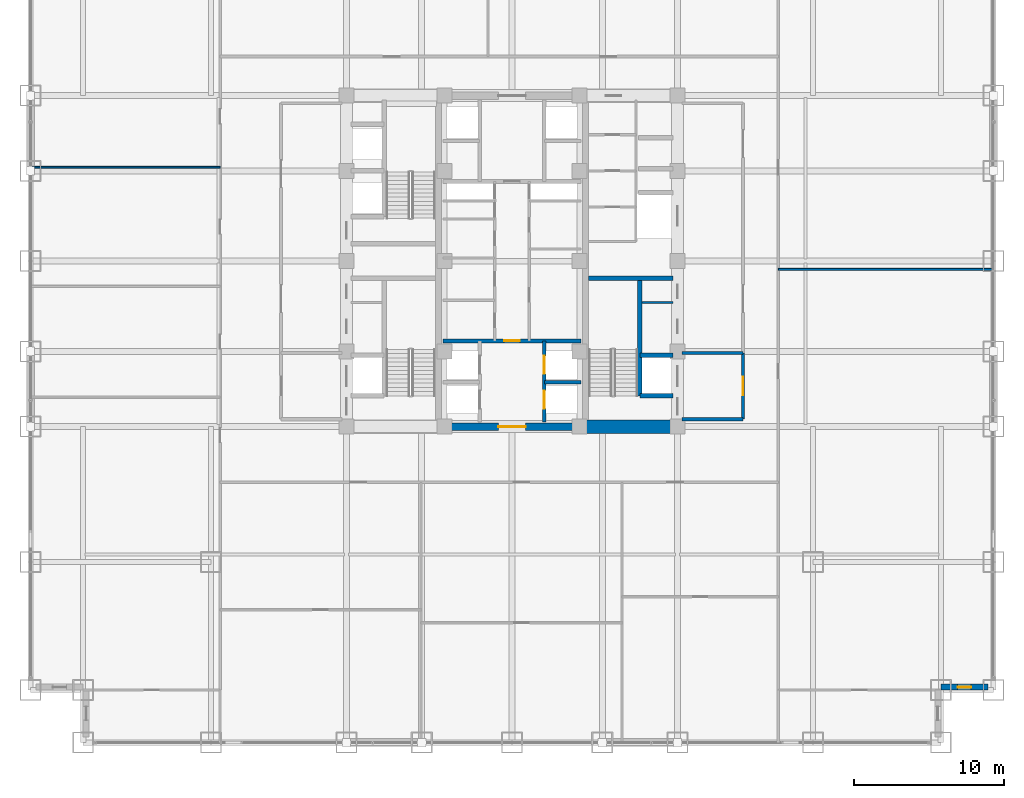
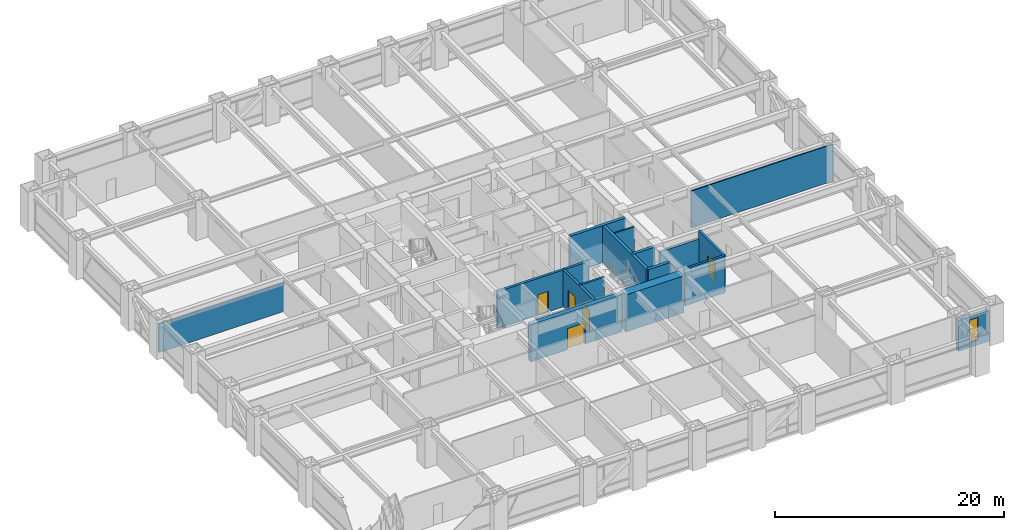
# One storey, part 24 of 28: 16 walls, 5 doors, 1 window, 6 openings.
"""IFC4 building model written with IfcOpenShell, lengths in metres."""

from ifc_helpers import new_model, si_unit, direction, frame, frame_2d, origin, place, context, subcontext, project, spatial, rectangle, extrude, source, transform, mapped, material, layer, layer_set, type_object, element, fill, save


model = new_model("IFC4")

# Units and contexts
model_context = context("Model", 3, precision=1e-05, world=origin(), true_north=direction((0.0, 1.0)))
body_context = subcontext(model_context, "Body", "Model", "MODEL_VIEW")
ifc_project = project(units=[si_unit("LENGTHUNIT", "METRE"), si_unit("AREAUNIT", "SQUARE_METRE"), si_unit("VOLUMEUNIT", "CUBIC_METRE"), si_unit("PLANEANGLEUNIT", "RADIAN"), si_unit("MASSUNIT", "GRAM", prefix="KILO")], contexts=[model_context])

# Site, building, storey
site_placement = place(None, origin())
site = spatial("IfcSite", under=ifc_project, at=site_placement, CompositionType="ELEMENT")
building_placement = place(site_placement, origin())
building = spatial("IfcBuilding", under=site, at=building_placement, Name="Khorayat Bourse Tower", CompositionType="ELEMENT")
storey_placement = place(building_placement, frame((0.0, 0.0, 57.800048828125)))
storey = spatial("IfcBuildingStorey", under=building, at=storey_placement, Name="L12", CompositionType="ELEMENT", Elevation=57.800048828125)

# Walls
ifc_material_1 = material(Name="Concrete C72/90", Category="concrete")
ifc_layer_1 = layer(ifc_material_1, 0.89990234375)
ifc_layer_set_1 = layer_set([ifc_layer_1], Name="Concrete C72/90")
wall_type_1 = type_object("IfcWallType", Name="WAL-CORE-900", PredefinedType="SHEAR", material=ifc_layer_set_1)
shared_shape_1 = source(origin(), body_context, "Body", "SweptSolid", [
    extrude(rectangle(XDim=5.849853515625, YDim=0.89990234375, at=frame_2d((2.9248046875, 0.0))), origin(), (0.0, 0.0, 1.0), 3.93994140625),
])
wall_1_placement = place(storey_placement, frame((4.85009765625, -11.0, 0.0), z_axis=(0.0, 0.0, 1.0), x_axis=(1.0, 0.0, 0.0)))
element("IfcWall", 1, at=wall_1_placement, inside=storey, type_object=wall_type_1, Name="L12 Core Shear Wall PIER-ES", PredefinedType="SHEAR", context=body_context, shape_type="MappedRepresentation", body=[
    mapped(shared_shape_1, transform((0.0, 0.0, 0.0), scale=1.0)),
])
ifc_material_2 = material(Name="Concrete C50/60", Category="concrete")
ifc_layer_2 = layer(ifc_material_2, 0.300048828125)
ifc_layer_set_2 = layer_set([ifc_layer_2], Name="Concrete C50/60")
wall_type_2 = type_object("IfcWallType", Name="WAL-SHAFT-300", PredefinedType="SHEAR", material=ifc_layer_set_2)
shared_shape_2 = source(origin(), body_context, "Body", "SweptSolid", [
    extrude(rectangle(XDim=5.599853515625, YDim=0.300048828125, at=frame_2d((2.7998046875, 0.0))), origin(), (0.0, 0.0, 1.0), 3.93994140625),
])
wall_2_placement = place(storey_placement, frame((5.10009765625, -1.14990234375, 0.0), z_axis=(0.0, 0.0, 1.0), x_axis=(1.0, 0.0, 0.0)))
element("IfcWall", 2, at=wall_2_placement, inside=storey, type_object=wall_type_2, Name="L12 Core Shear Wall ST3-DIV", PredefinedType="SHEAR", context=body_context, shape_type="MappedRepresentation", body=[
    mapped(shared_shape_2, transform((0.0, 0.0, 0.0), scale=1.0)),
])

# Wall, opening, door
ifc_material_3 = material(Name="Concrete C52/65", Category="concrete")
ifc_layer_3 = layer(ifc_material_3, 0.5)
ifc_layer_set_3 = layer_set([ifc_layer_3], Name="Concrete C52/65")
wall_type_3 = type_object("IfcWallType", Name="WAL-CORE-500", PredefinedType="SHEAR", material=ifc_layer_set_3)
shared_shape_3 = source(origin(), body_context, "Body", "SweptSolid", [
    extrude(rectangle(XDim=9.2001953125, YDim=0.5, at=frame_2d((4.60009765625, 0.0))), origin(), (0.0, 0.0, 1.0), 3.93994140625),
])
wall_3_placement = place(storey_placement, frame((-4.60009765625, -11.0, 0.0), z_axis=(0.0, 0.0, 1.0), x_axis=(1.0, 0.0, 0.0)))
wall_3 = element("IfcWall", 3, at=wall_3_placement, inside=storey, type_object=wall_type_3, Name="L12 Core Shear Wall CORE-S", PredefinedType="SHEAR", context=body_context, shape_type="MappedRepresentation", body=[
    mapped(shared_shape_3, transform((0.0, 0.0, 0.0), scale=1.0)),
])
shared_shape_4 = source(origin(), body_context, "Body", "SweptSolid", [
    extrude(rectangle(XDim=1.800048828125, YDim=2.25, at=frame_2d((0.89990234375, 1.125))), frame((0.0, 0.260009765625, 0.0), z_axis=(0.0, -1.0, 0.0), x_axis=(1.0, 0.0, 0.0)), (0.0, 0.0, 1.0), 0.52001953125),
])
opening_1_placement = place(wall_3_placement, frame((3.699951171875, 0.0, 0.0)))
opening_1 = element("IfcOpeningElement", 4, at=opening_1_placement, cuts=wall_3, Name="Opening DI-03", PredefinedType="OPENING", context=body_context, shape_type="MappedRepresentation", body=[
    mapped(shared_shape_4, transform((0.0, 0.0, 0.0), scale=1.0)),
])
ifc_material_4 = material(Name="Fire-rated hardwood vision-panel double leaf", Category="wood")
door_type_1 = type_object("IfcDoorType", Name="DR-INT-CORR-1800", OperationType="NOTDEFINED", PredefinedType="DOOR", material=ifc_material_4)
shared_shape_5 = source(origin(), body_context, "Body", "SweptSolid", [
    extrude(rectangle(XDim=1.800048828125, YDim=2.25, at=frame_2d((0.89990234375, 1.125))), frame((0.0, 0.02490234375, 0.0), z_axis=(0.0, -1.0, 0.0), x_axis=(1.0, 0.0, 0.0)), (0.0, 0.0, 1.0), 0.050048828125),
])
door_1_placement = place(opening_1_placement, origin())
door_1 = element("IfcDoor", 5, at=door_1_placement, inside=storey, type_object=door_type_1, Name="L12 Low-Rise Lift Lobby Door", OperationType="SINGLE_SWING_LEFT", OverallHeight=2.25, OverallWidth=1.800048828125, PredefinedType="DOOR", context=body_context, shape_type="MappedRepresentation", body=[
    mapped(shared_shape_5, transform((0.0, 0.0, 0.0), scale=1.0)),
])
fill(opening_1, door_1)

# Wall, opening, window
ifc_material_5 = material(Name="Precast concrete C45/55", Category="concrete")
ifc_layer_4 = layer(ifc_material_5, 0.3798828125)
ifc_layer_set_4 = layer_set([ifc_layer_4], Name="Precast concrete C45/55")
wall_type_4 = type_object("IfcWallType", Name="WAL-EXT-STONE-380", PredefinedType="STANDARD", material=ifc_layer_set_4)
shared_shape_6 = source(origin(), body_context, "Body", "SweptSolid", [
    extrude(rectangle(XDim=3.1201171875, YDim=0.3798828125, at=frame_2d((1.56005859375, 0.0))), origin(), (0.0, 0.0, 1.0), 3.244873046875),
])
wall_4_placement = place(storey_placement, frame((28.5, -28.31005859375, 0.0), z_axis=(0.0, 0.0, 1.0), x_axis=(1.0, 0.0, 0.0)))
wall_4 = element("IfcWall", 6, at=wall_4_placement, inside=storey, type_object=wall_type_4, Name="L12 Re-Entrant Notch Limestone Wall SE-H", PredefinedType="STANDARD", context=body_context, shape_type="MappedRepresentation", body=[
    mapped(shared_shape_6, transform((0.0, 0.0, 0.0), scale=1.0)),
])
shared_shape_7 = source(origin(), body_context, "Body", "SweptSolid", [
    extrude(rectangle(XDim=0.89990234375, YDim=2.39990234375, at=frame_2d((0.449951171875, 1.199951171875))), frame((0.0, 0.199951171875, 0.0), z_axis=(0.0, -1.0, 0.0), x_axis=(1.0, 0.0, 0.0)), (0.0, 0.0, 1.0), 0.39990234375),
])
opening_2_placement = place(wall_4_placement, frame((1.110107421875, 0.0, 0.5)))
opening_2 = element("IfcOpeningElement", 7, at=opening_2_placement, cuts=wall_4, Name="Opening WN-03", PredefinedType="OPENING", context=body_context, shape_type="MappedRepresentation", body=[
    mapped(shared_shape_7, transform((0.0, 0.0, 0.0), scale=1.0)),
])
ifc_material_6 = material(Name="Deep-reveal solar-control double glazing", Category="glass")
window_type = type_object("IfcWindowType", Name="WIN-SLOT-900x2400", PartitioningType="SINGLE_PANEL", PredefinedType="WINDOW", material=ifc_material_6)
shared_shape_8 = source(origin(), body_context, "Body", "SweptSolid", [
    extrude(rectangle(XDim=0.89990234375, YDim=2.39990234375, at=frame_2d((0.449951171875, 1.199951171875))), frame((0.0, 0.030029296875, 0.0), z_axis=(0.0, -1.0, 0.0), x_axis=(1.0, 0.0, 0.0)), (0.0, 0.0, 1.0), 0.06005859375),
])
window_placement = place(opening_2_placement, origin())
window = element("IfcWindow", 8, at=window_placement, inside=storey, type_object=window_type, Name="L12 Facade Window 1", OverallHeight=2.39990234375, OverallWidth=0.89990234375, PartitioningType="SINGLE_PANEL", PredefinedType="WINDOW", context=body_context, shape_type="MappedRepresentation", body=[
    mapped(shared_shape_8, transform((0.0, 0.0, 0.0), scale=1.0)),
])
fill(opening_2, window)

# Walls
shared_shape_9 = source(origin(), body_context, "Body", "SweptSolid", [
    extrude(rectangle(XDim=7.800048828125, YDim=0.300048828125, at=frame_2d((3.89990234375, 0.0))), origin(), (0.0, 0.0, 1.0), 3.93994140625),
])
wall_5_placement = place(storey_placement, frame((8.5, -8.949951171875, 0.0), z_axis=(0.0, 0.0, 1.0), x_axis=(0.0, 1.0, 0.0)))
element("IfcWall", 9, at=wall_5_placement, inside=storey, type_object=wall_type_2, Name="L12 Partition WAL-L12-EPIER-SP", PredefinedType="SHEAR", context=body_context, shape_type="MappedRepresentation", body=[
    mapped(shared_shape_9, transform((0.0, 0.0, 0.0), scale=1.0)),
])
shared_shape_10 = source(origin(), body_context, "Body", "SweptSolid", [
    extrude(rectangle(XDim=2.199951171875, YDim=0.300048828125, at=frame_2d((1.10009765625, 0.0))), origin(), (0.0, 0.0, 1.0), 3.93994140625),
])
for number, where, z_axis, x_axis, name in (
    (10, (8.5, -8.949951171875, 0.0), (0.0, 0.0, 1.0), (1.0, 0.0, 0.0), "L12 Partition WAL-L12-EPIER-FF2S"),
    (11, (8.5, -6.25, 0.0), (0.0, 0.0, 1.0), (1.0, 0.0, 0.0), "L12 Partition WAL-L12-EPIER-FF2N"),
):
    element("IfcWall", number, at=place(storey_placement, frame(where, z_axis=z_axis, x_axis=x_axis)), inside=storey, type_object=wall_type_2, Name=name, PredefinedType="SHEAR", context=body_context, shape_type="MappedRepresentation", body=[
        mapped(shared_shape_10, transform((0.0, 0.0, 0.0), scale=1.0)),
    ])
ifc_material_7 = material(Name="Gypsum plasterboard twin-frame partition")
ifc_layer_5 = layer(ifc_material_7, 0.14990234375)
ifc_layer_set_5 = layer_set([ifc_layer_5], Name="Gypsum plasterboard twin-frame partition")
wall_type_5 = type_object("IfcWallType", Name="WAL-PART-SUITE-150", PredefinedType="PARTITIONING", material=ifc_layer_set_5)
shared_shape_11 = source(origin(), body_context, "Body", "SweptSolid", [
    extrude(rectangle(XDim=2.050048828125, YDim=0.14990234375, at=frame_2d((1.02490234375, 0.0))), origin(), (0.0, 0.0, 1.0), 3.93994140625),
])
wall_6_placement = place(storey_placement, frame((8.64990234375, -2.75, 0.0), z_axis=(0.0, 0.0, 1.0), x_axis=(1.0, 0.0, 0.0)))
element("IfcWall", 12, at=wall_6_placement, inside=storey, type_object=wall_type_5, Name="L12 Partition WAL-L12-ESRV-D1", PredefinedType="PARTITIONING", context=body_context, shape_type="MappedRepresentation", body=[
    mapped(shared_shape_11, transform((0.0, 0.0, 0.0), scale=1.0)),
])
ifc_material_8 = material(Name="Aerated concrete blockwork", Category="masonry")
ifc_layer_6 = layer(ifc_material_8, 0.219970703125)
ifc_layer_set_6 = layer_set([ifc_layer_6], Name="Aerated concrete blockwork")
wall_type_6 = type_object("IfcWallType", Name="WAL-PART-FF-220", PredefinedType="PARTITIONING", material=ifc_layer_set_6)
shared_shape_12 = source(origin(), body_context, "Body", "SweptSolid", [
    extrude(rectangle(XDim=4.050048828125, YDim=0.219970703125, at=frame_2d((2.02490234375, 0.0))), origin(), (0.0, 0.0, 1.0), 3.93994140625),
])
wall_7_placement = place(storey_placement, frame((11.300048828125, -10.5, 0.0), z_axis=(0.0, 0.0, 1.0), x_axis=(1.0, 0.0, 0.0)))
element("IfcWall", 13, at=wall_7_placement, inside=storey, type_object=wall_type_6, Name="L12 Partition WAL-L12-FFLE-S", PredefinedType="PARTITIONING", context=body_context, shape_type="MappedRepresentation", body=[
    mapped(shared_shape_12, transform((0.0, 0.0, 0.0), scale=1.0)),
])
shared_shape_13 = source(origin(), body_context, "Body", "SweptSolid", [
    extrude(rectangle(XDim=4.050048828125, YDim=0.219970703125, at=frame_2d((2.02490234375, 0.0))), origin(), (0.0, 0.0, 1.0), 3.0849609375),
])
wall_8_placement = place(storey_placement, frame((11.300048828125, -6.10009765625, 0.0), z_axis=(0.0, 0.0, 1.0), x_axis=(1.0, 0.0, 0.0)))
element("IfcWall", 14, at=wall_8_placement, inside=storey, type_object=wall_type_6, Name="L12 Partition WAL-L12-FFLE-N", PredefinedType="PARTITIONING", context=body_context, shape_type="MappedRepresentation", body=[
    mapped(shared_shape_13, transform((0.0, 0.0, 0.0), scale=1.0)),
])

# Wall, opening, door
shared_shape_14 = source(origin(), body_context, "Body", "SweptSolid", [
    extrude(rectangle(XDim=4.39990234375, YDim=0.219970703125, at=frame_2d((2.199951171875, 0.0))), origin(), (0.0, 0.0, 1.0), 3.93994140625),
])
wall_9_placement = place(storey_placement, frame((15.35009765625, -10.5, 0.0), z_axis=(0.0, 0.0, 1.0), x_axis=(0.0, 1.0, 0.0)))
wall_9 = element("IfcWall", 15, at=wall_9_placement, inside=storey, type_object=wall_type_6, Name="L12 Partition WAL-L12-FFLE-E", PredefinedType="PARTITIONING", context=body_context, shape_type="MappedRepresentation", body=[
    mapped(shared_shape_14, transform((0.0, 0.0, 0.0), scale=1.0)),
])
shared_shape_15 = source(origin(), body_context, "Body", "SweptSolid", [
    extrude(rectangle(XDim=1.199951171875, YDim=2.199951171875, at=frame_2d((0.60009765625, 1.10009765625))), frame((0.0, 0.119873046875, 0.0), z_axis=(0.0, -1.0, 0.0), x_axis=(1.0, 0.0, 0.0)), (0.0, 0.0, 1.0), 0.239990234375),
])
opening_3_placement = place(wall_9_placement, frame((1.60009765625, 0.0, 0.0)))
opening_3 = element("IfcOpeningElement", 16, at=opening_3_placement, cuts=wall_9, Name="Opening DI-02", PredefinedType="OPENING", context=body_context, shape_type="MappedRepresentation", body=[
    mapped(shared_shape_15, transform((0.0, 0.0, 0.0), scale=1.0)),
])
ifc_material_9 = material(Name="Fire-rated steel double-seal leaf", Category="steel")
door_type_2 = type_object("IfcDoorType", Name="DR-INT-FFLOBBY-1200", OperationType="NOTDEFINED", PredefinedType="DOOR", material=ifc_material_9)
shared_shape_16 = source(origin(), body_context, "Body", "SweptSolid", [
    extrude(rectangle(XDim=1.199951171875, YDim=2.199951171875, at=frame_2d((0.60009765625, 1.10009765625))), frame((0.0, 0.02490234375, 0.0), z_axis=(0.0, -1.0, 0.0), x_axis=(1.0, 0.0, 0.0)), (0.0, 0.0, 1.0), 0.050048828125),
])
door_2_placement = place(opening_3_placement, origin())
door_2 = element("IfcDoor", 17, at=door_2_placement, inside=storey, type_object=door_type_2, Name="L12 East Firefighting Lobby Door", OperationType="SINGLE_SWING_RIGHT", OverallHeight=2.199951171875, OverallWidth=1.199951171875, PredefinedType="DOOR", context=body_context, shape_type="MappedRepresentation", body=[
    mapped(shared_shape_16, transform((0.0, 0.0, 0.0), scale=1.0)),
])
fill(opening_3, door_2)

# Wall, openings, doors
shared_shape_17 = source(origin(), body_context, "Body", "SweptSolid", [
    extrude(rectangle(XDim=5.39990234375, YDim=0.25, at=frame_2d((2.699951171875, 0.0))), origin(), (0.0, 0.0, 1.0), 3.93994140625),
])
wall_10_placement = place(storey_placement, frame((2.14990234375, -10.699951171875, 0.0), z_axis=(0.0, 0.0, 1.0), x_axis=(0.0, 1.0, 0.0)))
wall_10 = element("IfcWall", 18, at=wall_10_placement, inside=storey, type_object=wall_type_2, Name="L12 Partition WAL-L12-B1-E", PredefinedType="SHEAR", context=body_context, shape_type="MappedRepresentation", body=[
    mapped(shared_shape_17, transform((0.0, 0.0, 0.0), scale=1.0)),
])
shared_shape_18 = source(origin(), body_context, "Body", "SweptSolid", [
    extrude(rectangle(XDim=1.199951171875, YDim=2.300048828125, at=frame_2d((0.60009765625, 1.14990234375))), frame((0.0, 0.135009765625, 0.0), z_axis=(0.0, -1.0, 0.0), x_axis=(1.0, 0.0, 0.0)), (0.0, 0.0, 1.0), 0.27001953125),
])
opening_4_placement = place(wall_10_placement, frame((0.89990234375, 0.0, 0.0)))
opening_4 = element("IfcOpeningElement", 19, at=opening_4_placement, cuts=wall_10, Name="Opening LD-01", PredefinedType="OPENING", context=body_context, shape_type="MappedRepresentation", body=[
    mapped(shared_shape_18, transform((0.0, 0.0, 0.0), scale=1.0)),
])
opening_5_placement = place(wall_10_placement, frame((3.199951171875, 0.0, 0.0)))
opening_5 = element("IfcOpeningElement", 20, at=opening_5_placement, cuts=wall_10, Name="Opening LD-01", PredefinedType="OPENING", context=body_context, shape_type="MappedRepresentation", body=[
    mapped(shared_shape_18, transform((0.0, 0.0, 0.0), scale=1.0)),
])
ifc_material_10 = material(Name="Brushed bronze stainless-steel sliding door", Category="steel")
door_type_3 = type_object("IfcDoorType", Name="DR-LIFT-PASS-1200", OperationType="NOTDEFINED", PredefinedType="DOOR", material=ifc_material_10)
shared_shape_19 = source(origin(), body_context, "Body", "SweptSolid", [
    extrude(rectangle(XDim=1.199951171875, YDim=2.300048828125, at=frame_2d((0.60009765625, 1.14990234375))), frame((0.0, 0.02490234375, 0.0), z_axis=(0.0, -1.0, 0.0), x_axis=(1.0, 0.0, 0.0)), (0.0, 0.0, 1.0), 0.050048828125),
])
door_3_placement = place(opening_4_placement, origin())
door_3 = element("IfcDoor", 21, at=door_3_placement, inside=storey, type_object=door_type_3, Name="L12 Lift PL-L2 Sliding Landing Door", OperationType="SLIDING_TO_LEFT", OverallHeight=2.300048828125, OverallWidth=1.199951171875, PredefinedType="DOOR", context=body_context, shape_type="MappedRepresentation", body=[
    mapped(shared_shape_19, transform((0.0, 0.0, 0.0), scale=1.0)),
])
fill(opening_4, door_3)
door_4_placement = place(opening_5_placement, origin())
door_4 = element("IfcDoor", 22, at=door_4_placement, inside=storey, type_object=door_type_3, Name="L12 Lift PL-L4 Sliding Landing Door", OperationType="SLIDING_TO_LEFT", OverallHeight=2.300048828125, OverallWidth=1.199951171875, PredefinedType="DOOR", context=body_context, shape_type="MappedRepresentation", body=[
    mapped(shared_shape_19, transform((0.0, 0.0, 0.0), scale=1.0)),
])
fill(opening_5, door_4)

# Wall
shared_shape_20 = source(origin(), body_context, "Body", "SweptSolid", [
    extrude(rectangle(XDim=2.4501953125, YDim=0.199951171875, at=frame_2d((1.22509765625, 0.0))), origin(), (0.0, 0.0, 1.0), 3.93994140625),
])
wall_11_placement = place(storey_placement, frame((2.14990234375, -8.050048828125, 0.0), z_axis=(0.0, 0.0, 1.0), x_axis=(1.0, 0.0, 0.0)))
element("IfcWall", 23, at=wall_11_placement, inside=storey, type_object=wall_type_2, Name="L12 Partition WAL-L12-B1-ME", PredefinedType="SHEAR", context=body_context, shape_type="MappedRepresentation", body=[
    mapped(shared_shape_20, transform((0.0, 0.0, 0.0), scale=1.0)),
])

# Wall, opening, door
shared_shape_21 = source(origin(), body_context, "Body", "SweptSolid", [
    extrude(rectangle(XDim=9.2001953125, YDim=0.25, at=frame_2d((4.60009765625, 0.0))), origin(), (0.0, 0.0, 1.0), 3.93994140625),
])
wall_12_placement = place(storey_placement, frame((-4.60009765625, -5.300048828125, 0.0), z_axis=(0.0, 0.0, 1.0), x_axis=(1.0, 0.0, 0.0)))
wall_12 = element("IfcWall", 24, at=wall_12_placement, inside=storey, type_object=wall_type_2, Name="L12 Partition WAL-L12-B1-N", PredefinedType="SHEAR", context=body_context, shape_type="MappedRepresentation", body=[
    mapped(shared_shape_21, transform((0.0, 0.0, 0.0), scale=1.0)),
])
shared_shape_22 = source(origin(), body_context, "Body", "SweptSolid", [
    extrude(rectangle(XDim=1.050048828125, YDim=2.199951171875, at=frame_2d((0.52490234375, 1.10009765625))), frame((0.0, 0.135009765625, 0.0), z_axis=(0.0, -1.0, 0.0), x_axis=(1.0, 0.0, 0.0)), (0.0, 0.0, 1.0), 0.27001953125),
])
opening_6_placement = place(wall_12_placement, frame((4.074951171875, 0.0, 0.0)))
opening_6 = element("IfcOpeningElement", 25, at=opening_6_placement, cuts=wall_12, Name="Opening DI-04", PredefinedType="OPENING", context=body_context, shape_type="MappedRepresentation", body=[
    mapped(shared_shape_22, transform((0.0, 0.0, 0.0), scale=1.0)),
])
ifc_material_11 = material(Name="Fire-rated oak veneer suite entrance door")
door_type_4 = type_object("IfcDoorType", Name="DR-INT-SUITE-1050", OperationType="NOTDEFINED", PredefinedType="DOOR", material=ifc_material_11)
shared_shape_23 = source(origin(), body_context, "Body", "SweptSolid", [
    extrude(rectangle(XDim=1.050048828125, YDim=2.199951171875, at=frame_2d((0.52490234375, 1.10009765625))), frame((0.0, 0.02490234375, 0.0), z_axis=(0.0, -1.0, 0.0), x_axis=(1.0, 0.0, 0.0)), (0.0, 0.0, 1.0), 0.050048828125),
])
door_5_placement = place(opening_6_placement, origin())
door_5 = element("IfcDoor", 26, at=door_5_placement, inside=storey, type_object=door_type_4, Name="L12 Core Spine South Door", OperationType="SINGLE_SWING_LEFT", OverallHeight=2.199951171875, OverallWidth=1.050048828125, PredefinedType="DOOR", context=body_context, shape_type="MappedRepresentation", body=[
    mapped(shared_shape_23, transform((0.0, 0.0, 0.0), scale=1.0)),
])
fill(opening_6, door_5)

# Walls
ifc_material_12 = material(Name="Gypsum plasterboard partition")
ifc_layer_7 = layer(ifc_material_12, 0.125)
ifc_layer_set_7 = layer_set([ifc_layer_7], Name="Gypsum plasterboard partition")
wall_type_7 = type_object("IfcWallType", Name="WAL-PART-ROOM-125", PredefinedType="PARTITIONING", material=ifc_layer_set_7)
shared_shape_24 = source(origin(), body_context, "Body", "SweptSolid", [
    extrude(rectangle(XDim=12.60009765625, YDim=0.125, at=frame_2d((6.300048828125, 0.0))), origin(), (0.0, 0.0, 1.0), 3.0849609375),
])
wall_13_placement = place(storey_placement, frame((-32.0, 6.241943359375, 0.0), z_axis=(0.0, 0.0, 1.0), x_axis=(1.0, 0.0, 0.0)))
element("IfcWall", 27, at=wall_13_placement, inside=storey, type_object=wall_type_7, Name="L12 Partition WAL-L12-WDV-3", PredefinedType="PARTITIONING", context=body_context, shape_type="MappedRepresentation", body=[
    mapped(shared_shape_24, transform((0.0, 0.0, 0.0), scale=1.0)),
])
shared_shape_25 = source(origin(), body_context, "Body", "SweptSolid", [
    extrude(rectangle(XDim=14.300048828125, YDim=0.125, at=frame_2d((7.14990234375, 0.0))), origin(), (0.0, 0.0, 1.0), 3.93994140625),
])
wall_14_placement = place(storey_placement, frame((17.699951171875, -0.550048828125, 0.0), z_axis=(0.0, 0.0, 1.0), x_axis=(1.0, 0.0, 0.0)))
element("IfcWall", 28, at=wall_14_placement, inside=storey, type_object=wall_type_7, Name="L12 Partition WAL-L12-EDV-1", PredefinedType="PARTITIONING", context=body_context, shape_type="MappedRepresentation", body=[
    mapped(shared_shape_25, transform((0.0, 0.0, 0.0), scale=1.0)),
])

save(model, "model.ifc")
